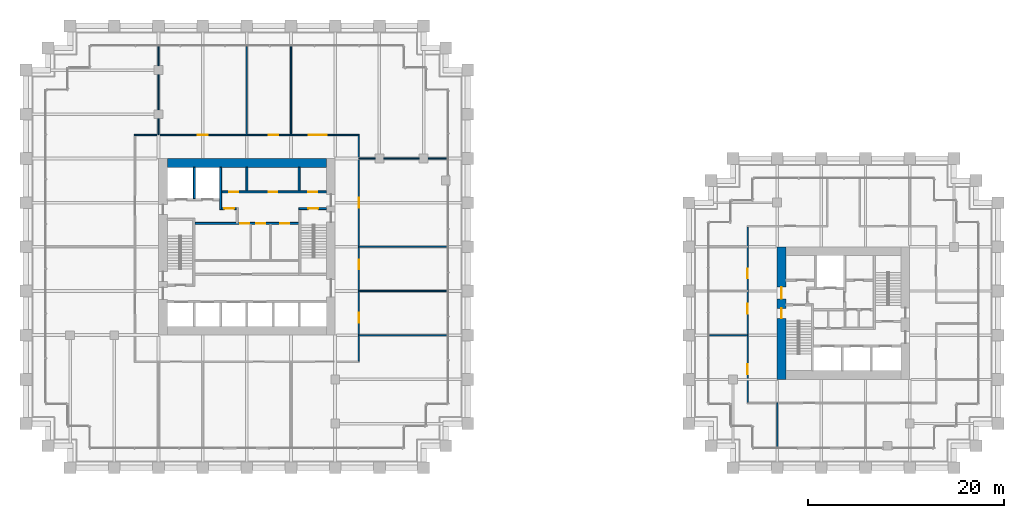
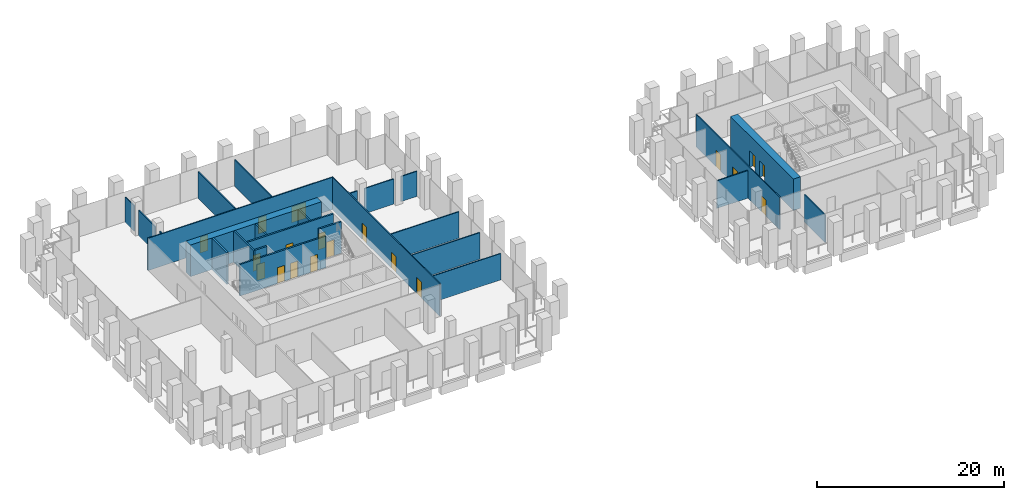
# One storey, part 31 of 36: 26 walls, 19 doors, 19 openings.
"""IFC4 building model written with IfcOpenShell, lengths in metres."""

from ifc_helpers import new_model, si_unit, direction, frame, frame_2d, origin, place, context, subcontext, project, spatial, rectangle, extrude, material, layer, layer_set, type_object, element, fill, save


model = new_model("IFC4")

# Units and contexts
model_context = context("Model", 3, precision=1e-05, world=origin(), true_north=direction((0.0, 1.0)))
body_context = subcontext(model_context, "Body", "Model", "MODEL_VIEW")
ifc_project = project(units=[si_unit("LENGTHUNIT", "METRE"), si_unit("AREAUNIT", "SQUARE_METRE"), si_unit("VOLUMEUNIT", "CUBIC_METRE"), si_unit("PLANEANGLEUNIT", "RADIAN"), si_unit("MASSUNIT", "GRAM", prefix="KILO")], contexts=[model_context])

# Site, building, storey
site_placement = place(None, origin())
site = spatial("IfcSite", under=ifc_project, at=site_placement, CompositionType="ELEMENT")
building_placement = place(site_placement, origin())
building = spatial("IfcBuilding", under=site, at=building_placement, Name="Altepetl Exchange Towers", CompositionType="ELEMENT")
storey_placement = place(building_placement, frame((0.0, 0.0, 34.199951171875)))
storey = spatial("IfcBuildingStorey", under=building, at=storey_placement, Name="L07", CompositionType="ELEMENT", Elevation=34.199951171875)

# Wall
ifc_material_1 = material(Name="Concrete C70/85", Category="concrete")
ifc_layer_1 = layer(ifc_material_1, 0.89990234375)
ifc_layer_set_1 = layer_set([ifc_layer_1], Name="Concrete C70/85")
wall_type_1 = type_object("IfcWallType", Name="Core wall 900 reinforced concrete", PredefinedType="SHEAR", material=ifc_layer_set_1)
wall_1_placement = place(storey_placement, frame((41.39990234375, 58.050048828125, 0.0)))
element("IfcWall", 1, at=wall_1_placement, inside=storey, type_object=wall_type_1, Name="wall:A:L07:K-coreN", PredefinedType="SHEAR", context=body_context, shape_type="SweptSolid", body=[
    extrude(rectangle(XDim=16.2001953125, YDim=0.89990234375, at=frame_2d((8.10009765625, 0.0))), origin(), (0.0, 0.0, 1.0), 4.125),
])

# Wall, openings, doors
wall_2_placement = place(storey_placement, frame((103.949951171875, 36.0, 0.0), z_axis=(0.0, 0.0, 1.0), x_axis=(0.0, 1.0, 0.0)))
wall_2 = element("IfcWall", 2, at=wall_2_placement, inside=storey, type_object=wall_type_1, Name="wall:B:L07:K-coreW", PredefinedType="SHEAR", context=body_context, shape_type="SweptSolid", body=[
    extrude(rectangle(XDim=13.5, YDim=0.89990234375, at=frame_2d((6.75, 0.0))), origin(), (0.0, 0.0, 1.0), 4.125),
])
opening_1_placement = place(wall_2_placement, frame((8.199951171875, 0.0, 0.0)))
opening_1 = element("IfcOpeningElement", 3, at=opening_1_placement, cuts=wall_2, Name="Opening L07.B60", PredefinedType="OPENING", context=body_context, shape_type="SweptSolid", body=[
    extrude(rectangle(XDim=1.199951171875, YDim=2.10009765625, at=frame_2d((0.60009765625, 1.050048828125))), frame((0.0, 0.4599609375, 0.0), z_axis=(0.0, -1.0, 0.0), x_axis=(1.0, 0.0, 0.0)), (0.0, 0.0, 1.0), 0.919921875),
])
opening_2_placement = place(wall_2_placement, frame((6.22509765625, 0.0, 0.0)))
opening_2 = element("IfcOpeningElement", 4, at=opening_2_placement, cuts=wall_2, Name="Opening L07.B63", PredefinedType="OPENING", context=body_context, shape_type="SweptSolid", body=[
    extrude(rectangle(XDim=1.0, YDim=2.10009765625, at=frame_2d((0.5, 1.050048828125))), frame((0.0, 0.4599609375, 0.0), z_axis=(0.0, -1.0, 0.0), x_axis=(1.0, 0.0, 0.0)), (0.0, 0.0, 1.0), 0.919921875),
])
ifc_material_2 = material(Name="Steel and timber fire door", Category="steel")
door_type_1 = type_object("IfcDoorType", Name="Fire door 1000 x 2100 stair and lobby", OperationType="SINGLE_SWING_LEFT", PredefinedType="DOOR", material=ifc_material_2)
door_1_placement = place(opening_2_placement, frame((1.0, 0.0, 0.0), x_axis=(-1.0, 0.0, 0.0)))
door_1 = element("IfcDoor", 5, at=door_1_placement, inside=storey, type_object=door_type_1, Name="door:B:L07:K-dS1x", OperationType="SINGLE_SWING_RIGHT", OverallHeight=2.10009765625, OverallWidth=1.0, PredefinedType="DOOR", context=body_context, shape_type="SweptSolid", body=[
    extrude(rectangle(XDim=1.0, YDim=2.10009765625, at=frame_2d((0.5, 1.050048828125))), frame((0.0, 0.02490234375, 0.0), z_axis=(0.0, -1.0, 0.0), x_axis=(1.0, 0.0, 0.0)), (0.0, 0.0, 1.0), 0.050048828125),
])
fill(opening_2, door_1)
door_type_2 = type_object("IfcDoorType", Name="Fire door 1200 x 2100 lobby entry", OperationType="SINGLE_SWING_LEFT", PredefinedType="DOOR", material=ifc_material_2)
door_2_placement = place(opening_1_placement, frame((1.199951171875, 0.0, 0.0), x_axis=(-1.0, 0.0, 0.0)))
door_2 = element("IfcDoor", 6, at=door_2_placement, inside=storey, type_object=door_type_2, Name="door:B:L07:K-dLNW", OperationType="SINGLE_SWING_RIGHT", OverallHeight=2.10009765625, OverallWidth=1.199951171875, PredefinedType="DOOR", context=body_context, shape_type="SweptSolid", body=[
    extrude(rectangle(XDim=1.199951171875, YDim=2.10009765625, at=frame_2d((0.60009765625, 1.050048828125))), frame((0.0, 0.02490234375, 0.0), z_axis=(0.0, -1.0, 0.0), x_axis=(1.0, 0.0, 0.0)), (0.0, 0.0, 1.0), 0.050048828125),
])
fill(opening_1, door_2)

# Wall, opening, door
ifc_material_3 = material(Name="Concrete blockwork", Category="masonry")
ifc_layer_2 = layer(ifc_material_3, 0.199951171875)
ifc_layer_set_2 = layer_set([ifc_layer_2], Name="Concrete blockwork")
wall_type_2 = type_object("IfcWallType", Name="Lobby wall 200 blockwork", PredefinedType="PARTITIONING", material=ifc_layer_set_2)
wall_3_placement = place(storey_placement, frame((46.933349609375, 53.39990234375, 0.0)))
wall_3 = element("IfcWall", 7, at=wall_3_placement, inside=storey, type_object=wall_type_2, Name="wall:A:L07:K-ffN", PredefinedType="PARTITIONING", context=body_context, shape_type="SweptSolid", body=[
    extrude(rectangle(XDim=1.466552734375, YDim=0.199951171875, at=frame_2d((0.7333984375, 0.0))), origin(), (0.0, 0.0, 1.0), 4.125),
])
opening_3_placement = place(wall_3_placement, frame((0.2666015625, 0.0, 0.0)))
opening_3 = element("IfcOpeningElement", 8, at=opening_3_placement, cuts=wall_3, Name="Opening L07.A67", PredefinedType="OPENING", context=body_context, shape_type="SweptSolid", body=[
    extrude(rectangle(XDim=1.0, YDim=2.10009765625, at=frame_2d((0.5, 1.050048828125))), frame((0.0, 0.10986328125, 0.0), z_axis=(0.0, -1.0, 0.0), x_axis=(1.0, 0.0, 0.0)), (0.0, 0.0, 1.0), 0.219970703125),
])
door_3_placement = place(opening_3_placement, frame((1.0, 0.0, 0.0), x_axis=(-1.0, 0.0, 0.0)))
door_3 = element("IfcDoor", 9, at=door_3_placement, inside=storey, type_object=door_type_1, Name="door:A:L07:K-dffN", OperationType="SINGLE_SWING_RIGHT", OverallHeight=2.10009765625, OverallWidth=1.0, PredefinedType="DOOR", context=body_context, shape_type="SweptSolid", body=[
    extrude(rectangle(XDim=1.0, YDim=2.10009765625, at=frame_2d((0.5, 1.050048828125))), frame((0.0, 0.02490234375, 0.0), z_axis=(0.0, -1.0, 0.0), x_axis=(1.0, 0.0, 0.0)), (0.0, 0.0, 1.0), 0.050048828125),
])
fill(opening_3, door_3)

# Wall, openings, doors
wall_4_placement = place(storey_placement, frame((44.199951171875, 51.89990234375, 0.0)))
wall_4 = element("IfcWall", 10, at=wall_4_placement, inside=storey, type_object=wall_type_2, Name="wall:A:L07:K-zoneN", PredefinedType="PARTITIONING", context=body_context, shape_type="SweptSolid", body=[
    extrude(rectangle(XDim=10.60009765625, YDim=0.199951171875, at=frame_2d((5.300048828125, 0.0))), origin(), (0.0, 0.0, 1.0), 4.125),
])
opening_4_placement = place(wall_4_placement, frame((4.625, 0.0, 0.0)))
opening_4 = element("IfcOpeningElement", 11, at=opening_4_placement, cuts=wall_4, Name="Opening L07.A73", PredefinedType="OPENING", context=body_context, shape_type="SweptSolid", body=[
    extrude(rectangle(XDim=0.89990234375, YDim=2.10009765625, at=frame_2d((0.449951171875, 1.050048828125))), frame((0.0, 0.10986328125, 0.0), z_axis=(0.0, -1.0, 0.0), x_axis=(1.0, 0.0, 0.0)), (0.0, 0.0, 1.0), 0.219970703125),
])
opening_5_placement = place(wall_4_placement, frame((6.25, 0.0, 0.0)))
opening_5 = element("IfcOpeningElement", 12, at=opening_5_placement, cuts=wall_4, Name="Opening L07.A74", PredefinedType="OPENING", context=body_context, shape_type="SweptSolid", body=[
    extrude(rectangle(XDim=0.89990234375, YDim=2.10009765625, at=frame_2d((0.449951171875, 1.050048828125))), frame((0.0, 0.10986328125, 0.0), z_axis=(0.0, -1.0, 0.0), x_axis=(1.0, 0.0, 0.0)), (0.0, 0.0, 1.0), 0.219970703125),
])
opening_6_placement = place(wall_4_placement, frame((8.699951171875, 0.0, 0.0)))
opening_6 = element("IfcOpeningElement", 13, at=opening_6_placement, cuts=wall_4, Name="Opening L07.A75", PredefinedType="OPENING", context=body_context, shape_type="SweptSolid", body=[
    extrude(rectangle(XDim=0.89990234375, YDim=2.10009765625, at=frame_2d((0.449951171875, 1.050048828125))), frame((0.0, 0.10986328125, 0.0), z_axis=(0.0, -1.0, 0.0), x_axis=(1.0, 0.0, 0.0)), (0.0, 0.0, 1.0), 0.219970703125),
])
door_type_3 = type_object("IfcDoorType", Name="Fire door 900 x 2100 service room", OperationType="SINGLE_SWING_LEFT", PredefinedType="DOOR", material=ifc_material_2)
door_4_placement = place(opening_4_placement, frame((0.89990234375, 0.0, 0.0), x_axis=(-1.0, 0.0, 0.0)))
door_4 = element("IfcDoor", 14, at=door_4_placement, inside=storey, type_object=door_type_3, Name="door:A:L07:K-dz2", OperationType="SINGLE_SWING_RIGHT", OverallHeight=2.10009765625, OverallWidth=0.89990234375, PredefinedType="DOOR", context=body_context, shape_type="SweptSolid", body=[
    extrude(rectangle(XDim=0.89990234375, YDim=2.10009765625, at=frame_2d((0.449951171875, 1.050048828125))), frame((0.0, 0.02490234375, 0.0), z_axis=(0.0, -1.0, 0.0), x_axis=(1.0, 0.0, 0.0)), (0.0, 0.0, 1.0), 0.050048828125),
])
fill(opening_4, door_4)
door_5_placement = place(opening_5_placement, frame((0.89990234375, 0.0, 0.0), x_axis=(-1.0, 0.0, 0.0)))
door_5 = element("IfcDoor", 15, at=door_5_placement, inside=storey, type_object=door_type_3, Name="door:A:L07:K-dz3", OperationType="SINGLE_SWING_LEFT", OverallHeight=2.10009765625, OverallWidth=0.89990234375, PredefinedType="DOOR", context=body_context, shape_type="SweptSolid", body=[
    extrude(rectangle(XDim=0.89990234375, YDim=2.10009765625, at=frame_2d((0.449951171875, 1.050048828125))), frame((0.0, 0.02490234375, 0.0), z_axis=(0.0, -1.0, 0.0), x_axis=(1.0, 0.0, 0.0)), (0.0, 0.0, 1.0), 0.050048828125),
])
fill(opening_5, door_5)
door_6_placement = place(opening_6_placement, frame((0.89990234375, 0.0, 0.0), x_axis=(-1.0, 0.0, 0.0)))
door_6 = element("IfcDoor", 16, at=door_6_placement, inside=storey, type_object=door_type_3, Name="door:A:L07:K-dz4", OperationType="SINGLE_SWING_LEFT", OverallHeight=2.10009765625, OverallWidth=0.89990234375, PredefinedType="DOOR", context=body_context, shape_type="SweptSolid", body=[
    extrude(rectangle(XDim=0.89990234375, YDim=2.10009765625, at=frame_2d((0.449951171875, 1.050048828125))), frame((0.0, 0.02490234375, 0.0), z_axis=(0.0, -1.0, 0.0), x_axis=(1.0, 0.0, 0.0)), (0.0, 0.0, 1.0), 0.050048828125),
])
fill(opening_6, door_6)

# Walls
ifc_material_4 = material(Name="Timber panels on aluminium track", Category="wood")
ifc_layer_3 = layer(ifc_material_4, 0.125)
ifc_layer_set_3 = layer_set([ifc_layer_3], Name="Timber panels on aluminium track")
wall_type_3 = type_object("IfcWallType", Name="Operable acoustic partition 125", PredefinedType="MOVABLE", material=ifc_layer_set_3)
wall_5_placement = place(storey_placement, frame((103.5, 29.10009765625, 0.0), z_axis=(0.0, 0.0, 1.0), x_axis=(0.0, 1.0, 0.0)))
element("IfcWall", 17, at=wall_5_placement, inside=storey, type_object=wall_type_3, Name="wall:B:L07:P11", PredefinedType="MOVABLE", context=body_context, shape_type="SweptSolid", body=[
    extrude(rectangle(XDim=4.5, YDim=0.125, at=frame_2d((2.25, 0.0))), origin(), (0.0, 0.0, 1.0), 3.613037109375),
])
ifc_material_5 = material(Name="Gypsum board on steel studs", Category="steel")
ifc_layer_4 = layer(ifc_material_5, 0.125)
ifc_layer_set_4 = layer_set([ifc_layer_4], Name="Gypsum board on steel studs")
wall_type_4 = type_object("IfcWallType", Name="Partition 125 gypsum board on steel studs", PredefinedType="PARTITIONING", material=ifc_layer_set_4)
for number, where, name in (
    (18, (60.89990234375, 40.5, 0.0), "wall:A:L07:P02"),
    (19, (60.89990234375, 45.0, 0.0), "wall:A:L07:P03"),
    (20, (60.89990234375, 49.5, 0.0), "wall:A:L07:P05"),
):
    element("IfcWall", number, at=place(storey_placement, frame(where)), inside=storey, type_object=wall_type_4, Name=name, PredefinedType="PARTITIONING", context=body_context, shape_type="SweptSolid", body=[
        extrude(rectangle(XDim=9.0, YDim=0.125, at=frame_2d((4.5, 0.0))), origin(), (0.0, 0.0, 1.0), 3.467041015625),
    ])
wall_6_placement = place(storey_placement, frame((60.89990234375, 58.5, 0.0)))
element("IfcWall", 21, at=wall_6_placement, inside=storey, type_object=wall_type_4, Name="wall:A:L07:P06", PredefinedType="PARTITIONING", context=body_context, shape_type="SweptSolid", body=[
    extrude(rectangle(XDim=1.650146484375, YDim=0.125, at=frame_2d((0.8251953125, 0.0))), origin(), (0.0, 0.0, 1.0), 3.302001953125),
])
wall_7_placement = place(storey_placement, frame((63.449951171875, 58.5, 0.0)))
element("IfcWall", 22, at=wall_7_placement, inside=storey, type_object=wall_type_4, Name="wall:A:L07:P07", PredefinedType="PARTITIONING", context=body_context, shape_type="SweptSolid", body=[
    extrude(rectangle(XDim=3.60009765625, YDim=0.125, at=frame_2d((1.800048828125, 0.0))), origin(), (0.0, 0.0, 1.0), 3.302001953125),
])
wall_8_placement = place(storey_placement, frame((67.949951171875, 58.5, 0.0)))
element("IfcWall", 23, at=wall_8_placement, inside=storey, type_object=wall_type_4, Name="wall:A:L07:P08", PredefinedType="PARTITIONING", context=body_context, shape_type="SweptSolid", body=[
    extrude(rectangle(XDim=1.949951171875, YDim=0.125, at=frame_2d((0.97509765625, 0.0))), origin(), (0.0, 0.0, 1.0), 3.302001953125),
])

# Wall, openings, doors
wall_9_placement = place(storey_placement, frame((38.03759765625, 60.89990234375, 0.0)))
wall_9 = element("IfcWall", 24, at=wall_9_placement, inside=storey, type_object=wall_type_4, Name="wall:A:L07:P09", PredefinedType="PARTITIONING", context=body_context, shape_type="SweptSolid", body=[
    extrude(rectangle(XDim=22.9248046875, YDim=0.125, at=frame_2d((11.46240234375, 0.0))), origin(), (0.0, 0.0, 1.0), 4.22509765625),
])
opening_7_placement = place(wall_9_placement, frame((17.777587890625, 0.0, 0.0)))
opening_7 = element("IfcOpeningElement", 25, at=opening_7_placement, cuts=wall_9, Name="Opening L07.A08", PredefinedType="OPENING", context=body_context, shape_type="SweptSolid", body=[
    extrude(rectangle(XDim=1.800048828125, YDim=2.10009765625, at=frame_2d((0.89990234375, 1.050048828125))), frame((0.0, 0.072509765625, 0.0), z_axis=(0.0, -1.0, 0.0), x_axis=(1.0, 0.0, 0.0)), (0.0, 0.0, 1.0), 0.14501953125),
])
opening_8_placement = place(wall_9_placement, frame((13.66748046875, 0.0, 0.0)))
opening_8 = element("IfcOpeningElement", 26, at=opening_8_placement, cuts=wall_9, Name="Opening L07.A09", PredefinedType="OPENING", context=body_context, shape_type="SweptSolid", body=[
    extrude(rectangle(XDim=1.0, YDim=2.10009765625, at=frame_2d((0.5, 1.050048828125))), frame((0.0, 0.072509765625, 0.0), z_axis=(0.0, -1.0, 0.0), x_axis=(1.0, 0.0, 0.0)), (0.0, 0.0, 1.0), 0.14501953125),
])
opening_9_placement = place(wall_9_placement, frame((6.46240234375, 0.0, 0.0)))
opening_9 = element("IfcOpeningElement", 27, at=opening_9_placement, cuts=wall_9, Name="Opening L07.A10", PredefinedType="OPENING", context=body_context, shape_type="SweptSolid", body=[
    extrude(rectangle(XDim=1.0, YDim=2.10009765625, at=frame_2d((0.5, 1.050048828125))), frame((0.0, 0.072509765625, 0.0), z_axis=(0.0, -1.0, 0.0), x_axis=(1.0, 0.0, 0.0)), (0.0, 0.0, 1.0), 0.14501953125),
])
door_type_4 = type_object("IfcDoorType", Name="Fire door 1000 x 2100 single leaf", OperationType="SINGLE_SWING_LEFT", PredefinedType="DOOR", material=ifc_material_2)
door_7_placement = place(opening_8_placement, origin())
door_7 = element("IfcDoor", 28, at=door_7_placement, inside=storey, type_object=door_type_4, Name="door:A:L07:09", OperationType="SINGLE_SWING_RIGHT", OverallHeight=2.10009765625, OverallWidth=1.0, PredefinedType="DOOR", context=body_context, shape_type="SweptSolid", body=[
    extrude(rectangle(XDim=1.0, YDim=2.10009765625, at=frame_2d((0.5, 1.050048828125))), frame((0.0, 0.02490234375, 0.0), z_axis=(0.0, -1.0, 0.0), x_axis=(1.0, 0.0, 0.0)), (0.0, 0.0, 1.0), 0.050048828125),
])
fill(opening_8, door_7)
door_8_placement = place(opening_9_placement, origin())
door_8 = element("IfcDoor", 29, at=door_8_placement, inside=storey, type_object=door_type_4, Name="door:A:L07:10", OperationType="SINGLE_SWING_RIGHT", OverallHeight=2.10009765625, OverallWidth=1.0, PredefinedType="DOOR", context=body_context, shape_type="SweptSolid", body=[
    extrude(rectangle(XDim=1.0, YDim=2.10009765625, at=frame_2d((0.5, 1.050048828125))), frame((0.0, 0.02490234375, 0.0), z_axis=(0.0, -1.0, 0.0), x_axis=(1.0, 0.0, 0.0)), (0.0, 0.0, 1.0), 0.050048828125),
])
fill(opening_9, door_8)
door_type_5 = type_object("IfcDoorType", Name="Fire door 1800 x 2100 double leaf", OperationType="DOUBLE_DOOR_SINGLE_SWING", PredefinedType="DOOR", material=ifc_material_2)
door_9_placement = place(opening_7_placement, origin())
door_9 = element("IfcDoor", 30, at=door_9_placement, inside=storey, type_object=door_type_5, Name="door:A:L07:08", OperationType="DOUBLE_DOOR_SINGLE_SWING", OverallHeight=2.10009765625, OverallWidth=1.800048828125, PredefinedType="DOOR", context=body_context, shape_type="SweptSolid", body=[
    extrude(rectangle(XDim=1.800048828125, YDim=2.10009765625, at=frame_2d((0.89990234375, 1.050048828125))), frame((0.0, 0.02490234375, 0.0), z_axis=(0.0, -1.0, 0.0), x_axis=(1.0, 0.0, 0.0)), (0.0, 0.0, 1.0), 0.050048828125),
])
fill(opening_7, door_9)

# Walls
wall_10_placement = place(storey_placement, frame((40.5, 60.89990234375, 0.0), z_axis=(0.0, 0.0, 1.0), x_axis=(0.0, 1.0, 0.0)))
element("IfcWall", 31, at=wall_10_placement, inside=storey, type_object=wall_type_4, Name="wall:A:L07:P12", PredefinedType="PARTITIONING", context=body_context, shape_type="SweptSolid", body=[
    extrude(rectangle(XDim=1.650146484375, YDim=0.125, at=frame_2d((0.8251953125, 0.0))), origin(), (0.0, 0.0, 1.0), 3.302001953125),
])
wall_11_placement = place(storey_placement, frame((40.5, 63.449951171875, 0.0), z_axis=(0.0, 0.0, 1.0), x_axis=(0.0, 1.0, 0.0)))
element("IfcWall", 32, at=wall_11_placement, inside=storey, type_object=wall_type_4, Name="wall:A:L07:P13", PredefinedType="PARTITIONING", context=body_context, shape_type="SweptSolid", body=[
    extrude(rectangle(XDim=3.60009765625, YDim=0.125, at=frame_2d((1.800048828125, 0.0))), origin(), (0.0, 0.0, 1.0), 3.302001953125),
])
wall_12_placement = place(storey_placement, frame((40.5, 67.949951171875, 0.0), z_axis=(0.0, 0.0, 1.0), x_axis=(0.0, 1.0, 0.0)))
element("IfcWall", 33, at=wall_12_placement, inside=storey, type_object=wall_type_4, Name="wall:A:L07:P14", PredefinedType="PARTITIONING", context=body_context, shape_type="SweptSolid", body=[
    extrude(rectangle(XDim=1.949951171875, YDim=0.125, at=frame_2d((0.97509765625, 0.0))), origin(), (0.0, 0.0, 1.0), 3.302001953125),
])
for number, where, z_axis, x_axis, name in (
    (34, (49.5, 60.89990234375, 0.0), (0.0, 0.0, 1.0), (0.0, 1.0, 0.0), "wall:A:L07:P16"),
    (35, (54.0, 60.89990234375, 0.0), (0.0, 0.0, 1.0), (0.0, 1.0, 0.0), "wall:A:L07:P18"),
):
    element("IfcWall", number, at=place(storey_placement, frame(where, z_axis=z_axis, x_axis=x_axis)), inside=storey, type_object=wall_type_4, Name=name, PredefinedType="PARTITIONING", context=body_context, shape_type="SweptSolid", body=[
        extrude(rectangle(XDim=9.0, YDim=0.125, at=frame_2d((4.5, 0.0))), origin(), (0.0, 0.0, 1.0), 3.467041015625),
    ])

# Wall, openings, doors
wall_13_placement = place(storey_placement, frame((60.89990234375, 37.862548828125, 0.0), z_axis=(0.0, 0.0, 1.0), x_axis=(0.0, 1.0, 0.0)))
wall_13 = element("IfcWall", 36, at=wall_13_placement, inside=storey, type_object=wall_type_4, Name="wall:A:L07:P19", PredefinedType="PARTITIONING", context=body_context, shape_type="SweptSolid", body=[
    extrude(rectangle(XDim=22.974853515625, YDim=0.125, at=frame_2d((11.4873046875, 0.0))), origin(), (0.0, 0.0, 1.0), 4.22509765625),
])
opening_10_placement = place(wall_13_placement, frame((3.9326171875, 0.0, 0.0)))
opening_10 = element("IfcOpeningElement", 37, at=opening_10_placement, cuts=wall_13, Name="Opening L07.A05", PredefinedType="OPENING", context=body_context, shape_type="SweptSolid", body=[
    extrude(rectangle(XDim=1.0, YDim=2.10009765625, at=frame_2d((0.5, 1.050048828125))), frame((0.0, 0.072509765625, 0.0), z_axis=(0.0, -1.0, 0.0), x_axis=(1.0, 0.0, 0.0)), (0.0, 0.0, 1.0), 0.14501953125),
])
opening_11_placement = place(wall_13_placement, frame((9.342529296875, 0.0, 0.0)))
opening_11 = element("IfcOpeningElement", 38, at=opening_11_placement, cuts=wall_13, Name="Opening L07.A06", PredefinedType="OPENING", context=body_context, shape_type="SweptSolid", body=[
    extrude(rectangle(XDim=1.0, YDim=2.10009765625, at=frame_2d((0.5, 1.050048828125))), frame((0.0, 0.072509765625, 0.0), z_axis=(0.0, -1.0, 0.0), x_axis=(1.0, 0.0, 0.0)), (0.0, 0.0, 1.0), 0.14501953125),
])
opening_12_placement = place(wall_13_placement, frame((15.637451171875, 0.0, 0.0)))
opening_12 = element("IfcOpeningElement", 39, at=opening_12_placement, cuts=wall_13, Name="Opening L07.A07", PredefinedType="OPENING", context=body_context, shape_type="SweptSolid", body=[
    extrude(rectangle(XDim=1.0, YDim=2.10009765625, at=frame_2d((0.5, 1.050048828125))), frame((0.0, 0.072509765625, 0.0), z_axis=(0.0, -1.0, 0.0), x_axis=(1.0, 0.0, 0.0)), (0.0, 0.0, 1.0), 0.14501953125),
])
door_10_placement = place(opening_10_placement, frame((1.0, 0.0, 0.0), x_axis=(-1.0, 0.0, 0.0)))
door_10 = element("IfcDoor", 40, at=door_10_placement, inside=storey, type_object=door_type_4, Name="door:A:L07:05", OperationType="SINGLE_SWING_LEFT", OverallHeight=2.10009765625, OverallWidth=1.0, PredefinedType="DOOR", context=body_context, shape_type="SweptSolid", body=[
    extrude(rectangle(XDim=1.0, YDim=2.10009765625, at=frame_2d((0.5, 1.050048828125))), frame((0.0, 0.02490234375, 0.0), z_axis=(0.0, -1.0, 0.0), x_axis=(1.0, 0.0, 0.0)), (0.0, 0.0, 1.0), 0.050048828125),
])
fill(opening_10, door_10)
door_11_placement = place(opening_11_placement, frame((1.0, 0.0, 0.0), x_axis=(-1.0, 0.0, 0.0)))
door_11 = element("IfcDoor", 41, at=door_11_placement, inside=storey, type_object=door_type_4, Name="door:A:L07:06", OperationType="SINGLE_SWING_RIGHT", OverallHeight=2.10009765625, OverallWidth=1.0, PredefinedType="DOOR", context=body_context, shape_type="SweptSolid", body=[
    extrude(rectangle(XDim=1.0, YDim=2.10009765625, at=frame_2d((0.5, 1.050048828125))), frame((0.0, 0.02490234375, 0.0), z_axis=(0.0, -1.0, 0.0), x_axis=(1.0, 0.0, 0.0)), (0.0, 0.0, 1.0), 0.050048828125),
])
fill(opening_11, door_11)
door_12_placement = place(opening_12_placement, frame((1.0, 0.0, 0.0), x_axis=(-1.0, 0.0, 0.0)))
door_12 = element("IfcDoor", 42, at=door_12_placement, inside=storey, type_object=door_type_4, Name="door:A:L07:07", OperationType="SINGLE_SWING_RIGHT", OverallHeight=2.10009765625, OverallWidth=1.0, PredefinedType="DOOR", context=body_context, shape_type="SweptSolid", body=[
    extrude(rectangle(XDim=1.0, YDim=2.10009765625, at=frame_2d((0.5, 1.050048828125))), frame((0.0, 0.02490234375, 0.0), z_axis=(0.0, -1.0, 0.0), x_axis=(1.0, 0.0, 0.0)), (0.0, 0.0, 1.0), 0.050048828125),
])
fill(opening_12, door_12)

# Wall
wall_14_placement = place(storey_placement, frame((96.60009765625, 40.5, 0.0)))
element("IfcWall", 43, at=wall_14_placement, inside=storey, type_object=wall_type_4, Name="wall:B:L07:P03", PredefinedType="PARTITIONING", context=body_context, shape_type="SweptSolid", body=[
    extrude(rectangle(XDim=3.89990234375, YDim=0.125, at=frame_2d((1.949951171875, 0.0))), origin(), (0.0, 0.0, 1.0), 3.613037109375),
])

# Wall, openings, doors
wall_15_placement = place(storey_placement, frame((100.5, 33.66259765625, 0.0), z_axis=(0.0, 0.0, 1.0), x_axis=(0.0, 1.0, 0.0)))
wall_15 = element("IfcWall", 44, at=wall_15_placement, inside=storey, type_object=wall_type_4, Name="wall:B:L07:P10", PredefinedType="PARTITIONING", context=body_context, shape_type="SweptSolid", body=[
    extrude(rectangle(XDim=17.875, YDim=0.125, at=frame_2d((8.9375, 0.0))), origin(), (0.0, 0.0, 1.0), 4.22509765625),
])
opening_13_placement = place(wall_15_placement, frame((2.887451171875, 0.0, 0.0)))
opening_13 = element("IfcOpeningElement", 45, at=opening_13_placement, cuts=wall_15, Name="Opening L07.B01", PredefinedType="OPENING", context=body_context, shape_type="SweptSolid", body=[
    extrude(rectangle(XDim=1.0, YDim=2.10009765625, at=frame_2d((0.5, 1.050048828125))), frame((0.0, 0.072509765625, 0.0), z_axis=(0.0, -1.0, 0.0), x_axis=(1.0, 0.0, 0.0)), (0.0, 0.0, 1.0), 0.14501953125),
])
opening_14_placement = place(wall_15_placement, frame((12.632568359375, 0.0, 0.0)))
opening_14 = element("IfcOpeningElement", 46, at=opening_14_placement, cuts=wall_15, Name="Opening L07.B08", PredefinedType="OPENING", context=body_context, shape_type="SweptSolid", body=[
    extrude(rectangle(XDim=1.0, YDim=2.10009765625, at=frame_2d((0.5, 1.050048828125))), frame((0.0, 0.072509765625, 0.0), z_axis=(0.0, -1.0, 0.0), x_axis=(1.0, 0.0, 0.0)), (0.0, 0.0, 1.0), 0.14501953125),
])
opening_15_placement = place(wall_15_placement, frame((9.04248046875, 0.0, 0.0)))
opening_15 = element("IfcOpeningElement", 47, at=opening_15_placement, cuts=wall_15, Name="Opening L07.B09", PredefinedType="OPENING", context=body_context, shape_type="SweptSolid", body=[
    extrude(rectangle(XDim=1.0, YDim=2.10009765625, at=frame_2d((0.5, 1.050048828125))), frame((0.0, 0.072509765625, 0.0), z_axis=(0.0, -1.0, 0.0), x_axis=(1.0, 0.0, 0.0)), (0.0, 0.0, 1.0), 0.14501953125),
])
door_13_placement = place(opening_13_placement, origin())
door_13 = element("IfcDoor", 48, at=door_13_placement, inside=storey, type_object=door_type_4, Name="door:B:L07:01", OperationType="SINGLE_SWING_RIGHT", OverallHeight=2.10009765625, OverallWidth=1.0, PredefinedType="DOOR", context=body_context, shape_type="SweptSolid", body=[
    extrude(rectangle(XDim=1.0, YDim=2.10009765625, at=frame_2d((0.5, 1.050048828125))), frame((0.0, 0.02490234375, 0.0), z_axis=(0.0, -1.0, 0.0), x_axis=(1.0, 0.0, 0.0)), (0.0, 0.0, 1.0), 0.050048828125),
])
fill(opening_13, door_13)
door_14_placement = place(opening_14_placement, origin())
door_14 = element("IfcDoor", 49, at=door_14_placement, inside=storey, type_object=door_type_4, Name="door:B:L07:08", OperationType="SINGLE_SWING_LEFT", OverallHeight=2.10009765625, OverallWidth=1.0, PredefinedType="DOOR", context=body_context, shape_type="SweptSolid", body=[
    extrude(rectangle(XDim=1.0, YDim=2.10009765625, at=frame_2d((0.5, 1.050048828125))), frame((0.0, 0.02490234375, 0.0), z_axis=(0.0, -1.0, 0.0), x_axis=(1.0, 0.0, 0.0)), (0.0, 0.0, 1.0), 0.050048828125),
])
fill(opening_14, door_14)
door_15_placement = place(opening_15_placement, origin())
door_15 = element("IfcDoor", 50, at=door_15_placement, inside=storey, type_object=door_type_4, Name="door:B:L07:09", OperationType="SINGLE_SWING_RIGHT", OverallHeight=2.10009765625, OverallWidth=1.0, PredefinedType="DOOR", context=body_context, shape_type="SweptSolid", body=[
    extrude(rectangle(XDim=1.0, YDim=2.10009765625, at=frame_2d((0.5, 1.050048828125))), frame((0.0, 0.02490234375, 0.0), z_axis=(0.0, -1.0, 0.0), x_axis=(1.0, 0.0, 0.0)), (0.0, 0.0, 1.0), 0.050048828125),
])
fill(opening_15, door_15)

# Walls
ifc_material_6 = material(Name="Concrete C40/50", Category="concrete")
ifc_layer_5 = layer(ifc_material_6, 0.199951171875)
ifc_layer_set_5 = layer_set([ifc_layer_5], Name="Concrete C40/50")
wall_type_5 = type_object("IfcWallType", Name="Shaft wall 200 reinforced concrete", PredefinedType="SHEAR", material=ifc_layer_set_5)
wall_16_placement = place(storey_placement, frame((44.166748046875, 57.60009765625, 0.0), z_axis=(0.0, 0.0, 1.0), x_axis=(0.0, -1.0, 0.0)))
element("IfcWall", 51, at=wall_16_placement, inside=storey, type_object=wall_type_5, Name="wall:A:L07:K-divN1", PredefinedType="SHEAR", context=body_context, shape_type="SweptSolid", body=[
    extrude(rectangle(XDim=3.2001953125, YDim=0.199951171875, at=frame_2d((1.60009765625, 0.0))), origin(), (0.0, 0.0, 1.0), 4.125),
])
wall_17_placement = place(storey_placement, frame((46.833251953125, 57.60009765625, 0.0), z_axis=(0.0, 0.0, 1.0), x_axis=(0.0, -1.0, 0.0)))
element("IfcWall", 52, at=wall_17_placement, inside=storey, type_object=wall_type_5, Name="wall:A:L07:K-divN2", PredefinedType="SHEAR", context=body_context, shape_type="SweptSolid", body=[
    extrude(rectangle(XDim=4.300048828125, YDim=0.199951171875, at=frame_2d((2.14990234375, 0.0))), origin(), (0.0, 0.0, 1.0), 4.125),
])
for number, where, z_axis, x_axis, name in (
    (53, (49.5, 57.60009765625, 0.0), (0.0, 0.0, 1.0), (0.0, -1.0, 0.0), "wall:A:L07:K-divN3"),
    (54, (54.833251953125, 57.60009765625, 0.0), (0.0, 0.0, 1.0), (0.0, -1.0, 0.0), "wall:A:L07:K-divN5"),
):
    element("IfcWall", number, at=place(storey_placement, frame(where, z_axis=z_axis, x_axis=x_axis)), inside=storey, type_object=wall_type_5, Name=name, PredefinedType="SHEAR", context=body_context, shape_type="SweptSolid", body=[
        extrude(rectangle(XDim=2.400146484375, YDim=0.199951171875, at=frame_2d((1.2001953125, 0.0))), origin(), (0.0, 0.0, 1.0), 4.125),
    ])

# Wall, openings, doors
wall_18_placement = place(storey_placement, frame((46.933349609375, 55.10009765625, 0.0)))
wall_18 = element("IfcWall", 55, at=wall_18_placement, inside=storey, type_object=wall_type_5, Name="wall:A:L07:K-frontNb", PredefinedType="SHEAR", context=body_context, shape_type="SweptSolid", body=[
    extrude(rectangle(XDim=10.666748046875, YDim=0.199951171875, at=frame_2d((5.33349609375, 0.0))), origin(), (0.0, 0.0, 1.0), 4.125),
])
opening_16_placement = place(wall_18_placement, frame((8.83349609375, 0.0, 0.0)))
opening_16 = element("IfcOpeningElement", 56, at=opening_16_placement, cuts=wall_18, Name="Opening L07.A69", PredefinedType="OPENING", context=body_context, shape_type="SweptSolid", body=[
    extrude(rectangle(XDim=0.89990234375, YDim=2.10009765625, at=frame_2d((0.449951171875, 1.050048828125))), frame((0.0, 0.10986328125, 0.0), z_axis=(0.0, -1.0, 0.0), x_axis=(1.0, 0.0, 0.0)), (0.0, 0.0, 1.0), 0.219970703125),
])
opening_17_placement = place(wall_18_placement, frame((0.783447265625, 0.0, 0.0)))
opening_17 = element("IfcOpeningElement", 57, at=opening_17_placement, cuts=wall_18, Name="Opening L07.A70", PredefinedType="OPENING", context=body_context, shape_type="SweptSolid", body=[
    extrude(rectangle(XDim=0.89990234375, YDim=2.10009765625, at=frame_2d((0.449951171875, 1.050048828125))), frame((0.0, 0.10986328125, 0.0), z_axis=(0.0, -1.0, 0.0), x_axis=(1.0, 0.0, 0.0)), (0.0, 0.0, 1.0), 0.219970703125),
])
opening_18_placement = place(wall_18_placement, frame((4.783447265625, 0.0, 0.0)))
opening_18 = element("IfcOpeningElement", 58, at=opening_18_placement, cuts=wall_18, Name="Opening L07.A71", PredefinedType="OPENING", context=body_context, shape_type="SweptSolid", body=[
    extrude(rectangle(XDim=0.89990234375, YDim=2.10009765625, at=frame_2d((0.449951171875, 1.050048828125))), frame((0.0, 0.10986328125, 0.0), z_axis=(0.0, -1.0, 0.0), x_axis=(1.0, 0.0, 0.0)), (0.0, 0.0, 1.0), 0.219970703125),
])
door_16_placement = place(opening_16_placement, origin())
door_16 = element("IfcDoor", 59, at=door_16_placement, inside=storey, type_object=door_type_3, Name="door:A:L07:K-driser", OperationType="SINGLE_SWING_RIGHT", OverallHeight=2.10009765625, OverallWidth=0.89990234375, PredefinedType="DOOR", context=body_context, shape_type="SweptSolid", body=[
    extrude(rectangle(XDim=0.89990234375, YDim=2.10009765625, at=frame_2d((0.449951171875, 1.050048828125))), frame((0.0, 0.02490234375, 0.0), z_axis=(0.0, -1.0, 0.0), x_axis=(1.0, 0.0, 0.0)), (0.0, 0.0, 1.0), 0.050048828125),
])
fill(opening_16, door_16)
door_17_placement = place(opening_17_placement, origin())
door_17 = element("IfcDoor", 60, at=door_17_placement, inside=storey, type_object=door_type_3, Name="door:A:L07:K-dslotN2", OperationType="SINGLE_SWING_RIGHT", OverallHeight=2.10009765625, OverallWidth=0.89990234375, PredefinedType="DOOR", context=body_context, shape_type="SweptSolid", body=[
    extrude(rectangle(XDim=0.89990234375, YDim=2.10009765625, at=frame_2d((0.449951171875, 1.050048828125))), frame((0.0, 0.02490234375, 0.0), z_axis=(0.0, -1.0, 0.0), x_axis=(1.0, 0.0, 0.0)), (0.0, 0.0, 1.0), 0.050048828125),
])
fill(opening_17, door_17)
door_18_placement = place(opening_18_placement, origin())
door_18 = element("IfcDoor", 61, at=door_18_placement, inside=storey, type_object=door_type_3, Name="door:A:L07:K-dslotN3", OperationType="SINGLE_SWING_RIGHT", OverallHeight=2.10009765625, OverallWidth=0.89990234375, PredefinedType="DOOR", context=body_context, shape_type="SweptSolid", body=[
    extrude(rectangle(XDim=0.89990234375, YDim=2.10009765625, at=frame_2d((0.449951171875, 1.050048828125))), frame((0.0, 0.02490234375, 0.0), z_axis=(0.0, -1.0, 0.0), x_axis=(1.0, 0.0, 0.0)), (0.0, 0.0, 1.0), 0.050048828125),
])
fill(opening_18, door_18)

# Wall, opening, door
ifc_layer_6 = layer(ifc_material_6, 0.199951171875)
ifc_layer_set_6 = layer_set([ifc_layer_6], Name="Concrete C40/50")
wall_type_6 = type_object("IfcWallType", Name="Stair wall 200 reinforced concrete", PredefinedType="SHEAR", material=ifc_layer_set_6)
wall_19_placement = place(storey_placement, frame((54.800048828125, 53.39990234375, 0.0)))
wall_19 = element("IfcWall", 62, at=wall_19_placement, inside=storey, type_object=wall_type_6, Name="wall:A:L07:K-stS2N", PredefinedType="SHEAR", context=body_context, shape_type="SweptSolid", body=[
    extrude(rectangle(XDim=2.800048828125, YDim=0.199951171875, at=frame_2d((1.39990234375, 0.0))), origin(), (0.0, 0.0, 1.0), 4.125),
])
opening_19_placement = place(wall_19_placement, frame((0.949951171875, 0.0, 0.0)))
opening_19 = element("IfcOpeningElement", 63, at=opening_19_placement, cuts=wall_19, Name="Opening L07.A65", PredefinedType="OPENING", context=body_context, shape_type="SweptSolid", body=[
    extrude(rectangle(XDim=1.0, YDim=2.10009765625, at=frame_2d((0.5, 1.050048828125))), frame((0.0, 0.10986328125, 0.0), z_axis=(0.0, -1.0, 0.0), x_axis=(1.0, 0.0, 0.0)), (0.0, 0.0, 1.0), 0.219970703125),
])
door_19_placement = place(opening_19_placement, frame((1.0, 0.0, 0.0), x_axis=(-1.0, 0.0, 0.0)))
door_19 = element("IfcDoor", 64, at=door_19_placement, inside=storey, type_object=door_type_1, Name="door:A:L07:K-dS2in", OperationType="SINGLE_SWING_LEFT", OverallHeight=2.10009765625, OverallWidth=1.0, PredefinedType="DOOR", context=body_context, shape_type="SweptSolid", body=[
    extrude(rectangle(XDim=1.0, YDim=2.10009765625, at=frame_2d((0.5, 1.050048828125))), frame((0.0, 0.02490234375, 0.0), z_axis=(0.0, -1.0, 0.0), x_axis=(1.0, 0.0, 0.0)), (0.0, 0.0, 1.0), 0.050048828125),
])
fill(opening_19, door_19)

save(model, "model.ifc")
